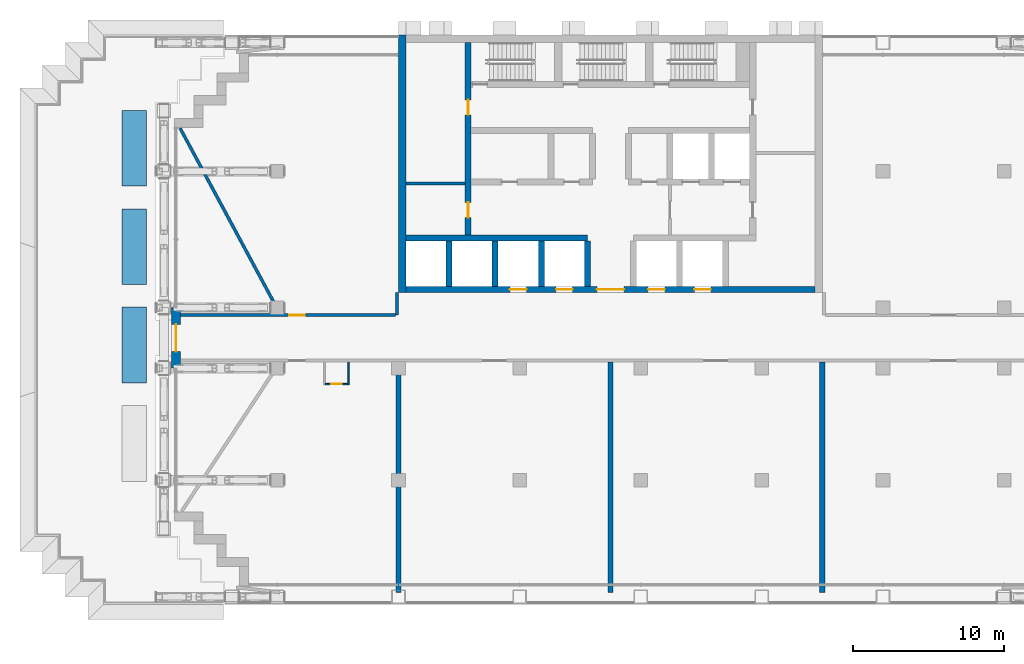
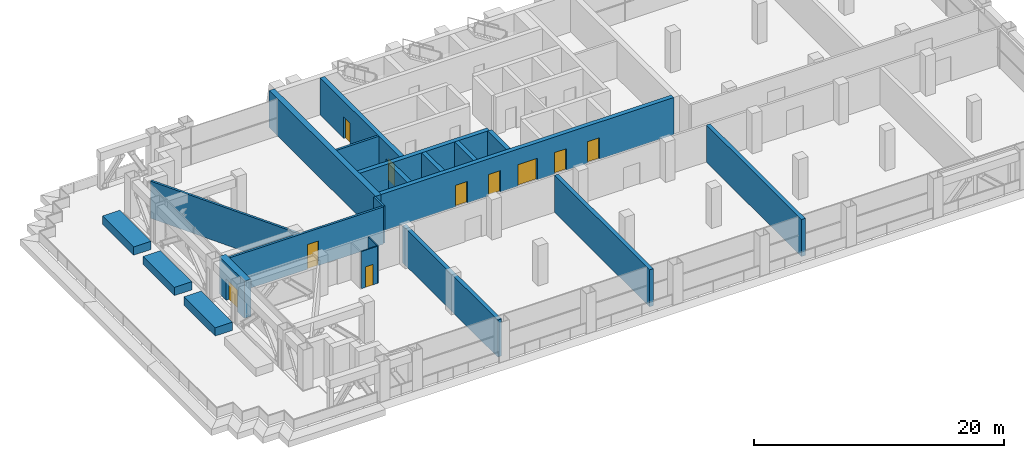
# One storey, part 8 of 19: 21 walls, 10 doors, 10 openings.
"""IFC4 building model written with IfcOpenShell, lengths in metres."""

from ifc_helpers import new_model, si_unit, direction, frame, frame_2d, origin, place, context, subcontext, project, spatial, rectangle, extrude, material, layer, layer_set, type_object, element, fill, save


model = new_model("IFC4")

# Units and contexts
model_context = context("Model", 3, precision=1e-05, world=origin(), true_north=direction((0.0, 1.0)))
body_context = subcontext(model_context, "Body", "Model", "MODEL_VIEW")
ifc_project = project(units=[si_unit("LENGTHUNIT", "METRE"), si_unit("AREAUNIT", "SQUARE_METRE"), si_unit("VOLUMEUNIT", "CUBIC_METRE"), si_unit("PLANEANGLEUNIT", "RADIAN"), si_unit("MASSUNIT", "GRAM", prefix="KILO")], contexts=[model_context])

# Site, building, storey
site_placement = place(None, origin())
site = spatial("IfcSite", under=ifc_project, at=site_placement, CompositionType="ELEMENT")
building_placement = place(site_placement, origin())
building = spatial("IfcBuilding", under=site, at=building_placement, Name="Vidyagriha Tower", CompositionType="ELEMENT")
storey_placement = place(building_placement, frame((0.0, 0.0, 73.60009765625)))
storey = spatial("IfcBuildingStorey", under=building, at=storey_placement, Name="L18", CompositionType="ELEMENT", Elevation=73.60009765625)

# Walls
ifc_material_1 = material(Name="Precast concrete C40/50 with brick facing", Category="concrete")
ifc_layer_1 = layer(ifc_material_1, 1.60009765625)
ifc_layer_set_1 = layer_set([ifc_layer_1], Name="Precast concrete C40/50 with brick facing")
wall_type_1 = type_object("IfcWallType", Name="Brick planter box 1600", PredefinedType="STANDARD", material=ifc_layer_set_1)
for number, where, z_axis, x_axis, name in (
    (1, (-31.449951171875, 15.028564453125, 0.0), (0.0, 0.0, 1.0), (0.0, -1.0, 0.0), "PLANTER L18 1"),
    (2, (-31.449951171875, 8.528564453125, 0.0), (0.0, 0.0, 1.0), (0.0, -1.0, 0.0), "PLANTER L18 2"),
    (3, (-31.449951171875, 2.028564453125, 0.0), (0.0, 0.0, 1.0), (0.0, -1.0, 0.0), "PLANTER L18 3"),
):
    element("IfcWall", number, at=place(storey_placement, frame(where, z_axis=z_axis, x_axis=x_axis)), inside=storey, type_object=wall_type_1, Name=name, PredefinedType="STANDARD", context=body_context, shape_type="SweptSolid", body=[
        extrude(rectangle(XDim=5.0, YDim=1.60009765625, at=frame_2d((2.5, 0.0))), origin(), (0.0, 0.0, 1.0), 0.7998046875),
    ])

# Wall, opening, door
ifc_material_2 = material(Name="Precast concrete C40/50 with brick facing", Category="concrete")
ifc_layer_2 = layer(ifc_material_2, 0.60009765625)
ifc_layer_set_2 = layer_set([ifc_layer_2], Name="Precast concrete C40/50 with brick facing")
wall_type_2 = type_object("IfcWallType", Name="Brick-faced precast wall 600", PredefinedType="STANDARD", material=ifc_layer_set_2)
wall_1_placement = place(storey_placement, frame((-28.699951171875, 2.0, 0.0), z_axis=(0.0, 0.0, 1.0), x_axis=(0.0, -1.0, 0.0)))
wall_1 = element("IfcWall", 4, at=wall_1_placement, inside=storey, type_object=wall_type_2, Name="Brick door bay wall L18 R16.4", PredefinedType="STANDARD", context=body_context, shape_type="SweptSolid", body=[
    extrude(rectangle(XDim=4.0, YDim=0.60009765625, at=frame_2d((2.0, 0.0))), origin(), (0.0, 0.0, 1.0), 3.619873046875),
])
opening_1_placement = place(wall_1_placement, frame((1.10009765625, 0.0, 0.0)))
opening_1 = element("IfcOpeningElement", 5, at=opening_1_placement, cuts=wall_1, Name="Opening D18-01", PredefinedType="OPENING", context=body_context, shape_type="SweptSolid", body=[
    extrude(rectangle(XDim=1.800048828125, YDim=2.10009765625, at=frame_2d((0.89990234375, 1.050048828125))), frame((0.0, 0.31005859375, 0.0), z_axis=(0.0, -1.0, 0.0), x_axis=(1.0, 0.0, 0.0)), (0.0, 0.0, 1.0), 0.6201171875),
])
ifc_material_3 = material(Name="Aluminium and glass door", Category="aluminium")
door_type_1 = type_object("IfcDoorType", Name="Entrance double leaf glazed door 1800x2100", OperationType="NOTDEFINED", PredefinedType="DOOR", material=ifc_material_3)
door_1_placement = place(opening_1_placement, frame((1.800048828125, 0.0, 0.0), z_axis=(0.0, 0.0, 1.0), x_axis=(-1.0, 0.0, 0.0)))
door_1 = element("IfcDoor", 6, at=door_1_placement, inside=storey, type_object=door_type_1, Name="Deck door D18-01", OperationType="DOUBLE_DOOR_SINGLE_SWING", OverallHeight=2.10009765625, OverallWidth=1.800048828125, PredefinedType="DOOR", context=body_context, shape_type="SweptSolid", body=[
    extrude(rectangle(XDim=1.800048828125, YDim=2.10009765625, at=frame_2d((0.89990234375, 1.050048828125))), frame((0.0, 0.02490234375, 0.0), z_axis=(0.0, -1.0, 0.0), x_axis=(1.0, 0.0, 0.0)), (0.0, 0.0, 1.0), 0.050048828125),
])
fill(opening_1, door_1)

# Wall, openings, doors
ifc_material_4 = material(Name="Concrete C60/75", Category="concrete")
ifc_layer_3 = layer(ifc_material_4, 0.39990234375)
ifc_layer_set_3 = layer_set([ifc_layer_3], Name="Concrete C60/75")
wall_type_3 = type_object("IfcWallType", Name="Core shear wall 400 mm", PredefinedType="SHEAR", material=ifc_layer_set_3)
wall_2_placement = place(storey_placement, frame((-9.39990234375, 6.800048828125, 0.0), z_axis=(0.0, 0.0, 1.0), x_axis=(0.0, 1.0, 0.0)))
wall_2 = element("IfcWall", 7, at=wall_2_placement, inside=storey, type_object=wall_type_3, Name="Core west spine wall", PredefinedType="SHEAR", context=body_context, shape_type="SweptSolid", body=[
    extrude(rectangle(XDim=12.699951171875, YDim=0.39990234375, at=frame_2d((6.35009765625, 0.0))), origin(), (0.0, 0.0, 1.0), 3.619873046875),
])
opening_2_placement = place(wall_2_placement, frame((1.14990234375, 0.0, 0.0)))
opening_2 = element("IfcOpeningElement", 8, at=opening_2_placement, cuts=wall_2, Name="Opening D18-10", PredefinedType="OPENING", context=body_context, shape_type="SweptSolid", body=[
    extrude(rectangle(XDim=1.0, YDim=2.10009765625, at=frame_2d((0.5, 1.050048828125))), frame((0.0, 0.2099609375, 0.0), z_axis=(0.0, -1.0, 0.0), x_axis=(1.0, 0.0, 0.0)), (0.0, 0.0, 1.0), 0.419921875),
])
opening_3_placement = place(wall_2_placement, frame((7.925048828125, 0.0, 0.0)))
opening_3 = element("IfcOpeningElement", 9, at=opening_3_placement, cuts=wall_2, Name="Opening D18-11", PredefinedType="OPENING", context=body_context, shape_type="SweptSolid", body=[
    extrude(rectangle(XDim=1.0, YDim=2.10009765625, at=frame_2d((0.5, 1.050048828125))), frame((0.0, 0.2099609375, 0.0), z_axis=(0.0, -1.0, 0.0), x_axis=(1.0, 0.0, 0.0)), (0.0, 0.0, 1.0), 0.419921875),
])
ifc_material_5 = material(Name="Hollow metal door leaf")
door_type_2 = type_object("IfcDoorType", Name="Core room door 1000 x 2100 mm EI 60", OperationType="NOTDEFINED", PredefinedType="DOOR", material=ifc_material_5)
door_2_placement = place(opening_2_placement, frame((1.0, 0.0, 0.0), z_axis=(0.0, 0.0, 1.0), x_axis=(-1.0, 0.0, 0.0)))
door_2 = element("IfcDoor", 10, at=door_2_placement, inside=storey, type_object=door_type_2, Name="Door Cleaners Store 18.W1", OperationType="SINGLE_SWING_RIGHT", OverallHeight=2.10009765625, OverallWidth=1.0, PredefinedType="DOOR", context=body_context, shape_type="SweptSolid", body=[
    extrude(rectangle(XDim=1.0, YDim=2.10009765625, at=frame_2d((0.5, 1.050048828125))), frame((0.0, 0.02490234375, 0.0), z_axis=(0.0, -1.0, 0.0), x_axis=(1.0, 0.0, 0.0)), (0.0, 0.0, 1.0), 0.050048828125),
])
fill(opening_2, door_2)
door_3_placement = place(opening_3_placement, frame((1.0, 0.0, 0.0), z_axis=(0.0, 0.0, 1.0), x_axis=(-1.0, 0.0, 0.0)))
door_3 = element("IfcDoor", 11, at=door_3_placement, inside=storey, type_object=door_type_2, Name="Door Pressurisation Plant Room 18.W2", OperationType="SINGLE_SWING_LEFT", OverallHeight=2.10009765625, OverallWidth=1.0, PredefinedType="DOOR", context=body_context, shape_type="SweptSolid", body=[
    extrude(rectangle(XDim=1.0, YDim=2.10009765625, at=frame_2d((0.5, 1.050048828125))), frame((0.0, 0.02490234375, 0.0), z_axis=(0.0, -1.0, 0.0), x_axis=(1.0, 0.0, 0.0)), (0.0, 0.0, 1.0), 0.050048828125),
])
fill(opening_3, door_3)

wall_3_placement = place(storey_placement, frame((-13.5, 3.199951171875, 0.0)))
wall_3 = element("IfcWall", 12, at=wall_3_placement, inside=storey, type_object=wall_type_3, Name="Core front wall", PredefinedType="SHEAR", context=body_context, shape_type="SweptSolid", body=[
    extrude(rectangle(XDim=27.0, YDim=0.39990234375, at=frame_2d((13.5, 0.0))), origin(), (0.0, 0.0, 1.0), 3.619873046875),
])
opening_4_placement = place(wall_3_placement, frame((6.861083984375, 0.0, 0.0)))
opening_4 = element("IfcOpeningElement", 13, at=opening_4_placement, cuts=wall_3, Name="Opening LD18-01", PredefinedType="OPENING", context=body_context, shape_type="SweptSolid", body=[
    extrude(rectangle(XDim=1.10009765625, YDim=2.10009765625, at=frame_2d((0.550048828125, 1.050048828125))), frame((0.0, 0.2099609375, 0.0), z_axis=(0.0, -1.0, 0.0), x_axis=(1.0, 0.0, 0.0)), (0.0, 0.0, 1.0), 0.419921875),
])
opening_5_placement = place(wall_3_placement, frame((9.905517578125, 0.0, 0.0)))
opening_5 = element("IfcOpeningElement", 14, at=opening_5_placement, cuts=wall_3, Name="Opening LD18-02", PredefinedType="OPENING", context=body_context, shape_type="SweptSolid", body=[
    extrude(rectangle(XDim=1.10009765625, YDim=2.10009765625, at=frame_2d((0.550048828125, 1.050048828125))), frame((0.0, 0.2099609375, 0.0), z_axis=(0.0, -1.0, 0.0), x_axis=(1.0, 0.0, 0.0)), (0.0, 0.0, 1.0), 0.419921875),
])
opening_6_placement = place(wall_3_placement, frame((15.994384765625, 0.0, 0.0)))
opening_6 = element("IfcOpeningElement", 15, at=opening_6_placement, cuts=wall_3, Name="Opening LD18-03", PredefinedType="OPENING", context=body_context, shape_type="SweptSolid", body=[
    extrude(rectangle(XDim=1.10009765625, YDim=2.10009765625, at=frame_2d((0.550048828125, 1.050048828125))), frame((0.0, 0.2099609375, 0.0), z_axis=(0.0, -1.0, 0.0), x_axis=(1.0, 0.0, 0.0)), (0.0, 0.0, 1.0), 0.419921875),
])
opening_7_placement = place(wall_3_placement, frame((19.038818359375, 0.0, 0.0)))
opening_7 = element("IfcOpeningElement", 16, at=opening_7_placement, cuts=wall_3, Name="Opening LD18-04", PredefinedType="OPENING", context=body_context, shape_type="SweptSolid", body=[
    extrude(rectangle(XDim=1.10009765625, YDim=2.10009765625, at=frame_2d((0.550048828125, 1.050048828125))), frame((0.0, 0.2099609375, 0.0), z_axis=(0.0, -1.0, 0.0), x_axis=(1.0, 0.0, 0.0)), (0.0, 0.0, 1.0), 0.419921875),
])
opening_8_placement = place(wall_3_placement, frame((12.60009765625, 0.0, 0.0)))
opening_8 = element("IfcOpeningElement", 17, at=opening_8_placement, cuts=wall_3, Name="Opening D18-02", PredefinedType="OPENING", context=body_context, shape_type="SweptSolid", body=[
    extrude(rectangle(XDim=1.800048828125, YDim=2.10009765625, at=frame_2d((0.89990234375, 1.050048828125))), frame((0.0, 0.2099609375, 0.0), z_axis=(0.0, -1.0, 0.0), x_axis=(1.0, 0.0, 0.0)), (0.0, 0.0, 1.0), 0.419921875),
])
ifc_material_6 = material(Name="Hollow metal door leaf")
door_type_3 = type_object("IfcDoorType", Name="Core lobby double door 1800 x 2100 mm EI 60", OperationType="NOTDEFINED", PredefinedType="DOOR", material=ifc_material_6)
door_4_placement = place(opening_8_placement, frame((1.800048828125, 0.0, 0.0), z_axis=(0.0, 0.0, 1.0), x_axis=(-1.0, 0.0, 0.0)))
door_4 = element("IfcDoor", 18, at=door_4_placement, inside=storey, type_object=door_type_3, Name="Core entrance door L18", OperationType="DOUBLE_DOOR_SINGLE_SWING", OverallHeight=2.10009765625, OverallWidth=1.800048828125, PredefinedType="DOOR", context=body_context, shape_type="SweptSolid", body=[
    extrude(rectangle(XDim=1.800048828125, YDim=2.10009765625, at=frame_2d((0.89990234375, 1.050048828125))), frame((0.0, 0.02490234375, 0.0), z_axis=(0.0, -1.0, 0.0), x_axis=(1.0, 0.0, 0.0)), (0.0, 0.0, 1.0), 0.050048828125),
])
fill(opening_8, door_4)
ifc_material_7 = material(Name="Stainless steel sliding door panel", Category="steel")
door_type_4 = type_object("IfcDoorType", Name="Lift landing door 1100 x 2100 mm EI 90", OperationType="NOTDEFINED", PredefinedType="DOOR", material=ifc_material_7)
door_5_placement = place(opening_4_placement, origin())
door_5 = element("IfcDoor", 19, at=door_5_placement, inside=storey, type_object=door_type_4, Name="Landing door LR1 L18", OperationType="SLIDING_TO_LEFT", OverallHeight=2.10009765625, OverallWidth=1.10009765625, PredefinedType="DOOR", context=body_context, shape_type="SweptSolid", body=[
    extrude(rectangle(XDim=1.10009765625, YDim=2.10009765625, at=frame_2d((0.550048828125, 1.050048828125))), frame((0.0, 0.02490234375, 0.0), z_axis=(0.0, -1.0, 0.0), x_axis=(1.0, 0.0, 0.0)), (0.0, 0.0, 1.0), 0.050048828125),
])
fill(opening_4, door_5)
door_6_placement = place(opening_5_placement, origin())
door_6 = element("IfcDoor", 20, at=door_6_placement, inside=storey, type_object=door_type_4, Name="Landing door LR2 L18", OperationType="SLIDING_TO_LEFT", OverallHeight=2.10009765625, OverallWidth=1.10009765625, PredefinedType="DOOR", context=body_context, shape_type="SweptSolid", body=[
    extrude(rectangle(XDim=1.10009765625, YDim=2.10009765625, at=frame_2d((0.550048828125, 1.050048828125))), frame((0.0, 0.02490234375, 0.0), z_axis=(0.0, -1.0, 0.0), x_axis=(1.0, 0.0, 0.0)), (0.0, 0.0, 1.0), 0.050048828125),
])
fill(opening_5, door_6)
door_7_placement = place(opening_6_placement, origin())
door_7 = element("IfcDoor", 21, at=door_7_placement, inside=storey, type_object=door_type_4, Name="Landing door LR3 L18", OperationType="SLIDING_TO_LEFT", OverallHeight=2.10009765625, OverallWidth=1.10009765625, PredefinedType="DOOR", context=body_context, shape_type="SweptSolid", body=[
    extrude(rectangle(XDim=1.10009765625, YDim=2.10009765625, at=frame_2d((0.550048828125, 1.050048828125))), frame((0.0, 0.02490234375, 0.0), z_axis=(0.0, -1.0, 0.0), x_axis=(1.0, 0.0, 0.0)), (0.0, 0.0, 1.0), 0.050048828125),
])
fill(opening_6, door_7)
door_8_placement = place(opening_7_placement, origin())
door_8 = element("IfcDoor", 22, at=door_8_placement, inside=storey, type_object=door_type_4, Name="Landing door LR4 L18", OperationType="SLIDING_TO_LEFT", OverallHeight=2.10009765625, OverallWidth=1.10009765625, PredefinedType="DOOR", context=body_context, shape_type="SweptSolid", body=[
    extrude(rectangle(XDim=1.10009765625, YDim=2.10009765625, at=frame_2d((0.550048828125, 1.050048828125))), frame((0.0, 0.02490234375, 0.0), z_axis=(0.0, -1.0, 0.0), x_axis=(1.0, 0.0, 0.0)), (0.0, 0.0, 1.0), 0.050048828125),
])
fill(opening_7, door_8)

# Walls
wall_4_placement = place(storey_placement, frame((-13.5, 6.60009765625, 0.0)))
element("IfcWall", 23, at=wall_4_placement, inside=storey, type_object=wall_type_3, Name="Core lobby south wall west", PredefinedType="SHEAR", context=body_context, shape_type="SweptSolid", body=[
    extrude(rectangle(XDim=11.977783203125, YDim=0.39990234375, at=frame_2d((5.98876953125, 0.0))), origin(), (0.0, 0.0, 1.0), 3.619873046875),
])
for number, where, z_axis, x_axis, name in (
    (24, (-10.655517578125, 3.39990234375, 0.0), (0.0, 0.0, 1.0), (0.0, 1.0, 0.0), "Core bay wall S1"),
    (25, (-7.611083984375, 3.39990234375, 0.0), (0.0, 0.0, 1.0), (0.0, 1.0, 0.0), "Core bay wall S2"),
    (26, (-4.566650390625, 3.39990234375, 0.0), (0.0, 0.0, 1.0), (0.0, 1.0, 0.0), "Core bay wall S3"),
    (27, (-1.522216796875, 3.39990234375, 0.0), (0.0, 0.0, 1.0), (0.0, 1.0, 0.0), "Core bay wall S4"),
):
    element("IfcWall", number, at=place(storey_placement, frame(where, z_axis=z_axis, x_axis=x_axis)), inside=storey, type_object=wall_type_3, Name=name, PredefinedType="SHEAR", context=body_context, shape_type="SweptSolid", body=[
        extrude(rectangle(XDim=3.0, YDim=0.39990234375, at=frame_2d((1.5, 0.0))), origin(), (0.0, 0.0, 1.0), 3.619873046875),
    ])
ifc_material_8 = material(Name="Concrete C60/75", Category="concrete")
ifc_layer_4 = layer(ifc_material_8, 0.5)
ifc_layer_set_4 = layer_set([ifc_layer_4], Name="Concrete C60/75")
wall_type_4 = type_object("IfcWallType", Name="Core shear wall 500 mm", PredefinedType="SHEAR", material=ifc_layer_set_4)
wall_5_placement = place(storey_placement, frame((-13.75, 3.0, 0.0), z_axis=(0.0, 0.0, 1.0), x_axis=(0.0, 1.0, 0.0)))
element("IfcWall", 28, at=wall_5_placement, inside=storey, type_object=wall_type_4, Name="Core west wall", PredefinedType="SHEAR", context=body_context, shape_type="SweptSolid", body=[
    extrude(rectangle(XDim=17.0, YDim=0.5, at=frame_2d((8.5, 0.0))), origin(), (0.0, 0.0, 1.0), 3.619873046875),
])
ifc_material_9 = material(Name="Blockwork 15 MPa", Category="masonry")
ifc_layer_5 = layer(ifc_material_9, 0.199951171875)
ifc_layer_set_5 = layer_set([ifc_layer_5], Name="Blockwork 15 MPa")
wall_type_5 = type_object("IfcWallType", Name="Service room partition 200 mm", PredefinedType="PARTITIONING", material=ifc_layer_set_5)
wall_6_placement = place(storey_placement, frame((-13.5, 10.199951171875, 0.0)))
element("IfcWall", 29, at=wall_6_placement, inside=storey, type_object=wall_type_5, Name="Core room partition W1", PredefinedType="PARTITIONING", context=body_context, shape_type="SweptSolid", body=[
    extrude(rectangle(XDim=3.89990234375, YDim=0.199951171875, at=frame_2d((1.949951171875, 0.0))), origin(), (0.0, 0.0, 1.0), 3.619873046875),
])

# Wall, opening, door
wall_7_placement = place(storey_placement, frame((-28.39990234375, 1.5, 0.0)))
wall_7 = element("IfcWall", 30, at=wall_7_placement, inside=storey, type_object=wall_type_5, Name="Plant corridor north wall west", PredefinedType="PARTITIONING", context=body_context, shape_type="SweptSolid", body=[
    extrude(rectangle(XDim=14.199951171875, YDim=0.199951171875, at=frame_2d((7.10009765625, 0.0))), origin(), (0.0, 0.0, 1.0), 3.619873046875),
])
opening_9_placement = place(wall_7_placement, frame((7.199951171875, 0.0, 0.0)))
opening_9 = element("IfcOpeningElement", 31, at=opening_9_placement, cuts=wall_7, Name="Opening D18-20", PredefinedType="OPENING", context=body_context, shape_type="SweptSolid", body=[
    extrude(rectangle(XDim=1.0, YDim=2.39990234375, at=frame_2d((0.5, 1.199951171875))), frame((0.0, 0.10986328125, 0.0), z_axis=(0.0, -1.0, 0.0), x_axis=(1.0, 0.0, 0.0)), (0.0, 0.0, 1.0), 0.219970703125),
])
ifc_material_10 = material(Name="Hollow metal door leaf")
door_type_5 = type_object("IfcDoorType", Name="Electrical room door 1000 x 2400 mm EI 90", OperationType="NOTDEFINED", PredefinedType="DOOR", material=ifc_material_10)
door_9_placement = place(opening_9_placement, frame((1.0, 0.0, 0.0), z_axis=(0.0, 0.0, 1.0), x_axis=(-1.0, 0.0, 0.0)))
door_9 = element("IfcDoor", 32, at=door_9_placement, inside=storey, type_object=door_type_5, Name="Door Battery Room 18.W1", OperationType="SINGLE_SWING_LEFT", OverallHeight=2.39990234375, OverallWidth=1.0, PredefinedType="DOOR", context=body_context, shape_type="SweptSolid", body=[
    extrude(rectangle(XDim=1.0, YDim=2.39990234375, at=frame_2d((0.5, 1.199951171875))), frame((0.0, 0.02490234375, 0.0), z_axis=(0.0, -1.0, 0.0), x_axis=(1.0, 0.0, 0.0)), (0.0, 0.0, 1.0), 0.050048828125),
])
fill(opening_9, door_9)

# Walls
wall_8_placement = place(storey_placement, frame((-14.10009765625, 1.5, 0.0), z_axis=(0.0, 0.0, 1.0), x_axis=(0.0, 1.0, 0.0)))
element("IfcWall", 33, at=wall_8_placement, inside=storey, type_object=wall_type_5, Name="Lift hall west return wall", PredefinedType="PARTITIONING", context=body_context, shape_type="SweptSolid", body=[
    extrude(rectangle(XDim=1.5, YDim=0.199951171875, at=frame_2d((0.75, 0.0))), origin(), (0.0, 0.0, 1.0), 3.619873046875),
])
wall_9_placement = place(storey_placement, frame((-28.425048828125, 13.8544921875, 0.0), z_axis=(0.0, 0.0, 1.0), x_axis=(0.473900322789, -0.88057849398, 0.0)))
element("IfcWall", 34, at=wall_9_placement, inside=storey, type_object=wall_type_5, Name="Plant room wall", PredefinedType="PARTITIONING", context=body_context, shape_type="SweptSolid", body=[
    extrude(rectangle(XDim=13.866455078125, YDim=0.199951171875, at=frame_2d((6.93310546875, 0.0))), origin(), (0.0, 0.0, 1.0), 3.619873046875),
])
ifc_material_11 = material(Name="Blockwork 15 MPa", Category="masonry")
ifc_layer_6 = layer(ifc_material_11, 0.35009765625)
ifc_layer_set_6 = layer_set([ifc_layer_6], Name="Blockwork 15 MPa")
wall_type_6 = type_object("IfcWallType", Name="Service room partition 350 mm", PredefinedType="PARTITIONING", material=ifc_layer_set_6)
for number, where, z_axis, x_axis, name in (
    (35, (-14.0, -16.800048828125, 0.0), (0.0, 0.0, 1.0), (0.0, 1.0, 0.0), "Plant room wall"),
    (36, (0.0, -16.800048828125, 0.0), (0.0, 0.0, 1.0), (0.0, 1.0, 0.0), "Plant room wall"),
    (37, (14.0, -16.800048828125, 0.0), (0.0, 0.0, 1.0), (0.0, 1.0, 0.0), "Plant room wall"),
):
    element("IfcWall", number, at=place(storey_placement, frame(where, z_axis=z_axis, x_axis=x_axis)), inside=storey, type_object=wall_type_6, Name=name, PredefinedType="PARTITIONING", context=body_context, shape_type="SweptSolid", body=[
        extrude(rectangle(XDim=15.199951171875, YDim=0.35009765625, at=frame_2d((7.60009765625, 0.0))), origin(), (0.0, 0.0, 1.0), 3.619873046875),
    ])
ifc_material_12 = material(Name="Gypsum shaft liner")
ifc_layer_7 = layer(ifc_material_12, 0.10009765625)
ifc_layer_set_7 = layer_set([ifc_layer_7], Name="Gypsum shaft liner")
wall_type_7 = type_object("IfcWallType", Name="Shaft liner wall 100 mm", PredefinedType="PARTITIONING", material=ifc_layer_set_7)
wall_10_placement = place(storey_placement, frame((-17.300048828125, -1.60009765625, 0.0), z_axis=(0.0, 0.0, 1.0), x_axis=(0.0, -1.0, 0.0)))
element("IfcWall", 38, at=wall_10_placement, inside=storey, type_object=wall_type_7, Name="Riser liner wall", PredefinedType="PARTITIONING", context=body_context, shape_type="SweptSolid", body=[
    extrude(rectangle(XDim=1.5, YDim=0.10009765625, at=frame_2d((0.75, 0.0))), origin(), (0.0, 0.0, 1.0), 3.619873046875),
])

# Wall, opening, door
wall_11_placement = place(storey_placement, frame((-18.85009765625, -3.050048828125, 0.0)))
wall_11 = element("IfcWall", 39, at=wall_11_placement, inside=storey, type_object=wall_type_7, Name="Riser liner wall", PredefinedType="PARTITIONING", context=body_context, shape_type="SweptSolid", body=[
    extrude(rectangle(XDim=1.5, YDim=0.10009765625, at=frame_2d((0.75, 0.0))), origin(), (0.0, 0.0, 1.0), 3.619873046875),
])
opening_10_placement = place(wall_11_placement, frame((0.39990234375, 0.0, 0.0)))
opening_10 = element("IfcOpeningElement", 40, at=opening_10_placement, cuts=wall_11, Name="Opening D18-15", PredefinedType="OPENING", context=body_context, shape_type="SweptSolid", body=[
    extrude(rectangle(XDim=0.699951171875, YDim=2.0, at=frame_2d((0.35009765625, 1.0))), frame((0.0, 0.06005859375, 0.0), z_axis=(0.0, -1.0, 0.0), x_axis=(1.0, 0.0, 0.0)), (0.0, 0.0, 1.0), 0.1201171875),
])
ifc_material_13 = material(Name="Hollow metal door leaf")
door_type_6 = type_object("IfcDoorType", Name="Riser access door 700 x 2000 mm EI 60", OperationType="NOTDEFINED", PredefinedType="DOOR", material=ifc_material_13)
door_10_placement = place(opening_10_placement, frame((0.699951171875, 0.0, 0.0), z_axis=(0.0, 0.0, 1.0), x_axis=(-1.0, 0.0, 0.0)))
door_10 = element("IfcDoor", 41, at=door_10_placement, inside=storey, type_object=door_type_6, Name="Door riser duct 18.01", OperationType="SINGLE_SWING_RIGHT", OverallHeight=2.0, OverallWidth=0.699951171875, PredefinedType="DOOR", context=body_context, shape_type="SweptSolid", body=[
    extrude(rectangle(XDim=0.699951171875, YDim=2.0, at=frame_2d((0.35009765625, 1.0))), frame((0.0, 0.02490234375, 0.0), z_axis=(0.0, -1.0, 0.0), x_axis=(1.0, 0.0, 0.0)), (0.0, 0.0, 1.0), 0.050048828125),
])
fill(opening_10, door_10)

save(model, "model.ifc")
